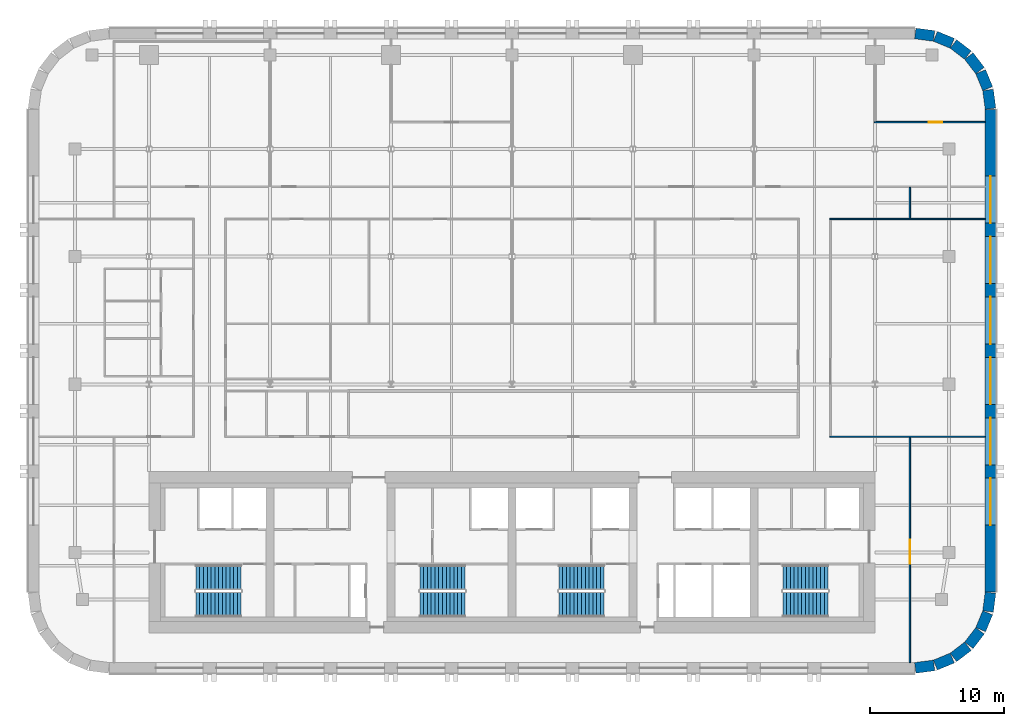
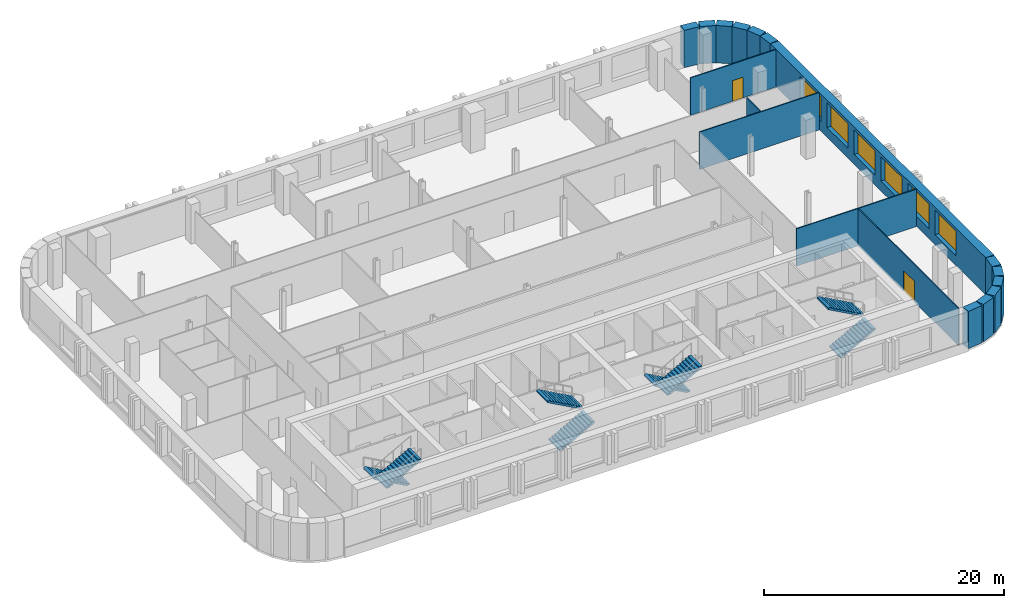
# One storey, part 7 of 9: 18 walls, 8 stair flights, 6 windows, 2 doors, 8 openings, 4 elements without a shape of their own.
"""IFC4 building model written with IfcOpenShell, lengths in metres."""

from ifc_helpers import new_model, si_unit, direction, frame, frame_2d, origin, place, context, subcontext, project, spatial, polyline, rectangle, outline, extrude, material, layer, layer_set, type_object, element, fill, aggregate, save


model = new_model("IFC4")

# Units and contexts
model_context = context("Model", 3, precision=1e-05, world=origin(), true_north=direction((0.0, 1.0)))
body_context = subcontext(model_context, "Body", "Model", "MODEL_VIEW")
ifc_project = project(units=[si_unit("LENGTHUNIT", "METRE"), si_unit("AREAUNIT", "SQUARE_METRE"), si_unit("VOLUMEUNIT", "CUBIC_METRE"), si_unit("PLANEANGLEUNIT", "RADIAN"), si_unit("MASSUNIT", "GRAM", prefix="KILO")], contexts=[model_context])

# Site, building, storey
site_placement = place(None, origin())
site = spatial("IfcSite", under=ifc_project, at=site_placement, CompositionType="ELEMENT")
building_placement = place(site_placement, origin())
building = spatial("IfcBuilding", under=site, at=building_placement, Name="Zellij Exchange Tower", CompositionType="ELEMENT")
storey_placement = place(building_placement, frame((0.0, 0.0, 184.5)))
storey = spatial("IfcBuildingStorey", under=building, at=storey_placement, Name="L42", CompositionType="ELEMENT", Elevation=184.5)

# Walls
ifc_material_1 = material(Name="Precast concrete C40/50", Category="concrete")
ifc_layer_1 = layer(ifc_material_1, 0.800048828125)
ifc_layer_set_1 = layer_set([ifc_layer_1], Name="Precast concrete C40/50")
wall_type_1 = type_object("IfcWallType", Name="ENV-EW1 Precast stone-piered wall 800", PredefinedType="SOLIDWALL", material=ifc_layer_set_1)
wall_1_placement = place(storey_placement, frame((29.999755859375, -16.5966796875, 0.0), z_axis=(0.0, 0.0, 1.0), x_axis=(0.99144603414, 0.130517283865, 0.0)))
element("IfcWall", 1, at=wall_1_placement, inside=storey, type_object=wall_type_1, Name="fac.L42.01", PredefinedType="SOLIDWALL", context=body_context, shape_type="SweptSolid", body=[
    extrude(rectangle(XDim=1.408447265625, YDim=0.800048828125, at=frame_2d((0.7041015625, 0.0))), origin(), (0.0, 0.0, 1.0), 3.800048828125),
])
wall_2_placement = place(storey_placement, frame((31.497314453125, -16.3857421875, 0.0), z_axis=(0.0, 0.0, 1.0), x_axis=(0.923847774587, 0.38276009378, 0.0)))
element("IfcWall", 2, at=wall_2_placement, inside=storey, type_object=wall_type_1, Name="fac.L42.02", PredefinedType="SOLIDWALL", context=body_context, shape_type="SweptSolid", body=[
    extrude(rectangle(XDim=1.35546875, YDim=0.800048828125, at=frame_2d((0.677734375, 0.0))), origin(), (0.0, 0.0, 1.0), 3.800048828125),
])
for number, where, z_axis, x_axis, name in (
    (3, (32.840087890625, -15.814697265625, 0.0), (0.0, 0.0, 1.0), (0.793272915452, 0.608866226366, 0.0), "fac.L42.03"),
    (4, (33.9892578125, -14.91552734375, 0.0), (0.0, 0.0, 1.0), (0.608866226366, 0.793272915452, 0.0), "fac.L42.04"),
):
    element("IfcWall", number, at=place(storey_placement, frame(where, z_axis=z_axis, x_axis=x_axis)), inside=storey, type_object=wall_type_1, Name=name, PredefinedType="SOLIDWALL", context=body_context, shape_type="SweptSolid", body=[
        extrude(rectangle(XDim=1.355712890625, YDim=0.800048828125, at=frame_2d((0.677734375, 0.0))), origin(), (0.0, 0.0, 1.0), 3.800048828125),
    ])
wall_3_placement = place(storey_placement, frame((34.866943359375, -13.74951171875, 0.0), z_axis=(0.0, 0.0, 1.0), x_axis=(0.38276009378, 0.923847774587, 0.0)))
element("IfcWall", 5, at=wall_3_placement, inside=storey, type_object=wall_type_1, Name="fac.L42.05", PredefinedType="SOLIDWALL", context=body_context, shape_type="SweptSolid", body=[
    extrude(rectangle(XDim=1.35546875, YDim=0.800048828125, at=frame_2d((0.677734375, 0.0))), origin(), (0.0, 0.0, 1.0), 3.800048828125),
])
wall_4_placement = place(storey_placement, frame((35.412841796875, -12.396240234375, 0.0), z_axis=(0.0, 0.0, 1.0), x_axis=(0.130517283865, 0.99144603414, 0.0)))
element("IfcWall", 6, at=wall_4_placement, inside=storey, type_object=wall_type_1, Name="fac.L42.06", PredefinedType="SOLIDWALL", context=body_context, shape_type="SweptSolid", body=[
    extrude(rectangle(XDim=1.408447265625, YDim=0.800048828125, at=frame_2d((0.7041015625, 0.0))), origin(), (0.0, 0.0, 1.0), 3.800048828125),
])

# Wall, openings, windows
wall_5_placement = place(storey_placement, frame((35.60009765625, -10.947509765625, 0.0), z_axis=(0.0, 0.0, 1.0), x_axis=(0.0, 1.0, 0.0)))
wall_5 = element("IfcWall", 7, at=wall_5_placement, inside=storey, type_object=wall_type_1, Name="fac.L42.07", PredefinedType="SOLIDWALL", context=body_context, shape_type="SweptSolid", body=[
    extrude(rectangle(XDim=35.89501953125, YDim=0.800048828125, at=frame_2d((17.947509765625, 0.0))), origin(), (0.0, 0.0, 1.0), 3.800048828125),
])
opening_1_placement = place(wall_5_placement, frame((4.9638671875, 0.0, 1.0)))
opening_1 = element("IfcOpeningElement", 8, at=opening_1_placement, cuts=wall_5, Name="Opening FZ3.13", PredefinedType="OPENING", context=body_context, shape_type="SweptSolid", body=[
    extrude(rectangle(XDim=3.5, YDim=2.5, at=frame_2d((1.75, 1.25))), frame((0.0, 0.412109375, 0.0), z_axis=(0.0, -1.0, 0.0), x_axis=(1.0, 0.0, 0.0)), (0.0, 0.0, 1.0), 0.823974609375),
])
opening_2_placement = place(wall_5_placement, frame((9.45751953125, 0.0, 1.0)))
opening_2 = element("IfcOpeningElement", 9, at=opening_2_placement, cuts=wall_5, Name="Opening FZ3.14", PredefinedType="OPENING", context=body_context, shape_type="SweptSolid", body=[
    extrude(rectangle(XDim=3.5, YDim=2.5, at=frame_2d((1.75, 1.25))), frame((0.0, 0.412109375, 0.0), z_axis=(0.0, -1.0, 0.0), x_axis=(1.0, 0.0, 0.0)), (0.0, 0.0, 1.0), 0.823974609375),
])
opening_3_placement = place(wall_5_placement, frame((13.950927734375, 0.0, 1.0)))
opening_3 = element("IfcOpeningElement", 10, at=opening_3_placement, cuts=wall_5, Name="Opening FZ3.15", PredefinedType="OPENING", context=body_context, shape_type="SweptSolid", body=[
    extrude(rectangle(XDim=3.5, YDim=2.5, at=frame_2d((1.75, 1.25))), frame((0.0, 0.412109375, 0.0), z_axis=(0.0, -1.0, 0.0), x_axis=(1.0, 0.0, 0.0)), (0.0, 0.0, 1.0), 0.823974609375),
])
opening_4_placement = place(wall_5_placement, frame((18.4443359375, 0.0, 1.0)))
opening_4 = element("IfcOpeningElement", 11, at=opening_4_placement, cuts=wall_5, Name="Opening FZ3.16", PredefinedType="OPENING", context=body_context, shape_type="SweptSolid", body=[
    extrude(rectangle(XDim=3.5, YDim=2.5, at=frame_2d((1.75, 1.25))), frame((0.0, 0.412109375, 0.0), z_axis=(0.0, -1.0, 0.0), x_axis=(1.0, 0.0, 0.0)), (0.0, 0.0, 1.0), 0.823974609375),
])
opening_5_placement = place(wall_5_placement, frame((22.937744140625, 0.0, 1.0)))
opening_5 = element("IfcOpeningElement", 12, at=opening_5_placement, cuts=wall_5, Name="Opening FZ3.17", PredefinedType="OPENING", context=body_context, shape_type="SweptSolid", body=[
    extrude(rectangle(XDim=3.5, YDim=2.5, at=frame_2d((1.75, 1.25))), frame((0.0, 0.412109375, 0.0), z_axis=(0.0, -1.0, 0.0), x_axis=(1.0, 0.0, 0.0)), (0.0, 0.0, 1.0), 0.823974609375),
])
opening_6_placement = place(wall_5_placement, frame((27.43115234375, 0.0, 1.0)))
opening_6 = element("IfcOpeningElement", 13, at=opening_6_placement, cuts=wall_5, Name="Opening FZ3.18", PredefinedType="OPENING", context=body_context, shape_type="SweptSolid", body=[
    extrude(rectangle(XDim=3.5, YDim=2.5, at=frame_2d((1.75, 1.25))), frame((0.0, 0.412109375, 0.0), z_axis=(0.0, -1.0, 0.0), x_axis=(1.0, 0.0, 0.0)), (0.0, 0.0, 1.0), 0.823974609375),
])
ifc_material_2 = material(Name="Aluminium frame with insulating glass", Category="aluminium")
window_type = type_object("IfcWindowType", Name="ENV-W1 Window 3500x2500", PartitioningType="SINGLE_PANEL", PredefinedType="WINDOW", material=ifc_material_2)
window_1_placement = place(opening_1_placement, origin())
window_1 = element("IfcWindow", 14, at=window_1_placement, inside=storey, type_object=window_type, Name="Window FZ3.13", OverallHeight=2.5, OverallWidth=3.5, PartitioningType="SINGLE_PANEL", PredefinedType="WINDOW", context=body_context, shape_type="SweptSolid", body=[
    extrude(rectangle(XDim=3.5, YDim=2.5, at=frame_2d((1.75, 1.25))), frame((0.0, 0.030029296875, 0.0), z_axis=(0.0, -1.0, 0.0), x_axis=(1.0, 0.0, 0.0)), (0.0, 0.0, 1.0), 0.06005859375),
])
fill(opening_1, window_1)
window_2_placement = place(opening_2_placement, origin())
window_2 = element("IfcWindow", 15, at=window_2_placement, inside=storey, type_object=window_type, Name="Window FZ3.14", OverallHeight=2.5, OverallWidth=3.5, PartitioningType="SINGLE_PANEL", PredefinedType="WINDOW", context=body_context, shape_type="SweptSolid", body=[
    extrude(rectangle(XDim=3.5, YDim=2.5, at=frame_2d((1.75, 1.25))), frame((0.0, 0.030029296875, 0.0), z_axis=(0.0, -1.0, 0.0), x_axis=(1.0, 0.0, 0.0)), (0.0, 0.0, 1.0), 0.06005859375),
])
fill(opening_2, window_2)
window_3_placement = place(opening_3_placement, origin())
window_3 = element("IfcWindow", 16, at=window_3_placement, inside=storey, type_object=window_type, Name="Window FZ3.15", OverallHeight=2.5, OverallWidth=3.5, PartitioningType="SINGLE_PANEL", PredefinedType="WINDOW", context=body_context, shape_type="SweptSolid", body=[
    extrude(rectangle(XDim=3.5, YDim=2.5, at=frame_2d((1.75, 1.25))), frame((0.0, 0.030029296875, 0.0), z_axis=(0.0, -1.0, 0.0), x_axis=(1.0, 0.0, 0.0)), (0.0, 0.0, 1.0), 0.06005859375),
])
fill(opening_3, window_3)
window_4_placement = place(opening_4_placement, origin())
window_4 = element("IfcWindow", 17, at=window_4_placement, inside=storey, type_object=window_type, Name="Window FZ3.16", OverallHeight=2.5, OverallWidth=3.5, PartitioningType="SINGLE_PANEL", PredefinedType="WINDOW", context=body_context, shape_type="SweptSolid", body=[
    extrude(rectangle(XDim=3.5, YDim=2.5, at=frame_2d((1.75, 1.25))), frame((0.0, 0.030029296875, 0.0), z_axis=(0.0, -1.0, 0.0), x_axis=(1.0, 0.0, 0.0)), (0.0, 0.0, 1.0), 0.06005859375),
])
fill(opening_4, window_4)
window_5_placement = place(opening_5_placement, origin())
window_5 = element("IfcWindow", 18, at=window_5_placement, inside=storey, type_object=window_type, Name="Window FZ3.17", OverallHeight=2.5, OverallWidth=3.5, PartitioningType="SINGLE_PANEL", PredefinedType="WINDOW", context=body_context, shape_type="SweptSolid", body=[
    extrude(rectangle(XDim=3.5, YDim=2.5, at=frame_2d((1.75, 1.25))), frame((0.0, 0.030029296875, 0.0), z_axis=(0.0, -1.0, 0.0), x_axis=(1.0, 0.0, 0.0)), (0.0, 0.0, 1.0), 0.06005859375),
])
fill(opening_5, window_5)
window_6_placement = place(opening_6_placement, origin())
window_6 = element("IfcWindow", 19, at=window_6_placement, inside=storey, type_object=window_type, Name="Window FZ3.18", OverallHeight=2.5, OverallWidth=3.5, PartitioningType="SINGLE_PANEL", PredefinedType="WINDOW", context=body_context, shape_type="SweptSolid", body=[
    extrude(rectangle(XDim=3.5, YDim=2.5, at=frame_2d((1.75, 1.25))), frame((0.0, 0.030029296875, 0.0), z_axis=(0.0, -1.0, 0.0), x_axis=(1.0, 0.0, 0.0)), (0.0, 0.0, 1.0), 0.06005859375),
])
fill(opening_6, window_6)

# Walls
wall_6_placement = place(storey_placement, frame((35.5966796875, 24.999755859375, 0.0), z_axis=(0.0, 0.0, 1.0), x_axis=(-0.130517283865, 0.99144603414, 0.0)))
element("IfcWall", 20, at=wall_6_placement, inside=storey, type_object=wall_type_1, Name="fac.L42.08", PredefinedType="SOLIDWALL", context=body_context, shape_type="SweptSolid", body=[
    extrude(rectangle(XDim=1.408447265625, YDim=0.800048828125, at=frame_2d((0.7041015625, 0.0))), origin(), (0.0, 0.0, 1.0), 3.800048828125),
])
wall_7_placement = place(storey_placement, frame((35.3857421875, 26.497314453125, 0.0), z_axis=(0.0, 0.0, 1.0), x_axis=(-0.38276009378, 0.923847774587, 0.0)))
element("IfcWall", 21, at=wall_7_placement, inside=storey, type_object=wall_type_1, Name="fac.L42.09", PredefinedType="SOLIDWALL", context=body_context, shape_type="SweptSolid", body=[
    extrude(rectangle(XDim=1.35546875, YDim=0.800048828125, at=frame_2d((0.677734375, 0.0))), origin(), (0.0, 0.0, 1.0), 3.800048828125),
])
for number, where, z_axis, x_axis, name in (
    (22, (34.814697265625, 27.840087890625, 0.0), (0.0, 0.0, 1.0), (-0.608866226366, 0.793272915452, 0.0), "fac.L42.10"),
    (23, (33.91552734375, 28.9892578125, 0.0), (0.0, 0.0, 1.0), (-0.793272915452, 0.608866226366, 0.0), "fac.L42.11"),
):
    element("IfcWall", number, at=place(storey_placement, frame(where, z_axis=z_axis, x_axis=x_axis)), inside=storey, type_object=wall_type_1, Name=name, PredefinedType="SOLIDWALL", context=body_context, shape_type="SweptSolid", body=[
        extrude(rectangle(XDim=1.355712890625, YDim=0.800048828125, at=frame_2d((0.677734375, 0.0))), origin(), (0.0, 0.0, 1.0), 3.800048828125),
    ])
wall_8_placement = place(storey_placement, frame((32.74951171875, 29.866943359375, 0.0), z_axis=(0.0, 0.0, 1.0), x_axis=(-0.923847774587, 0.38276009378, 0.0)))
element("IfcWall", 24, at=wall_8_placement, inside=storey, type_object=wall_type_1, Name="fac.L42.12", PredefinedType="SOLIDWALL", context=body_context, shape_type="SweptSolid", body=[
    extrude(rectangle(XDim=1.35546875, YDim=0.800048828125, at=frame_2d((0.677734375, 0.0))), origin(), (0.0, 0.0, 1.0), 3.800048828125),
])
wall_9_placement = place(storey_placement, frame((31.396240234375, 30.412841796875, 0.0), z_axis=(0.0, 0.0, 1.0), x_axis=(-0.99144603414, 0.130517283865, 0.0)))
element("IfcWall", 25, at=wall_9_placement, inside=storey, type_object=wall_type_1, Name="fac.L42.13", PredefinedType="SOLIDWALL", context=body_context, shape_type="SweptSolid", body=[
    extrude(rectangle(XDim=1.408447265625, YDim=0.800048828125, at=frame_2d((0.7041015625, 0.0))), origin(), (0.0, 0.0, 1.0), 3.800048828125),
])

# Wall, opening, door
ifc_material_3 = material(Name="Gypsum board partition on steel studs", Category="steel")
ifc_layer_2 = layer(ifc_material_3, 0.10009765625)
ifc_layer_set_2 = layer_set([ifc_layer_2], Name="Gypsum board partition on steel studs")
wall_type_2 = type_object("IfcWallType", Name="FIT-PARTITION-100", PredefinedType="PARTITIONING", material=ifc_layer_set_2)
wall_10_placement = place(storey_placement, frame((29.60009765625, -16.199951171875, 0.0), z_axis=(0.0, 0.0, 1.0), x_axis=(0.0, 1.0, 0.0)))
wall_10 = element("IfcWall", 26, at=wall_10_placement, inside=storey, type_object=wall_type_2, Name="FIT-PARTITION-100 002", PredefinedType="PARTITIONING", context=body_context, shape_type="SweptSolid", body=[
    extrude(rectangle(XDim=16.75, YDim=0.10009765625, at=frame_2d((8.375, 0.0))), origin(), (0.0, 0.0, 1.0), 3.800048828125),
])
opening_7_placement = place(wall_10_placement, frame((7.35009765625, 0.0, 0.0)))
opening_7 = element("IfcOpeningElement", 27, at=opening_7_placement, cuts=wall_10, Name="Opening O3B.02", PredefinedType="OPENING", context=body_context, shape_type="SweptSolid", body=[
    extrude(rectangle(XDim=1.800048828125, YDim=2.10009765625, at=frame_2d((0.89990234375, 1.050048828125))), frame((0.0, 0.06201171875, 0.0), z_axis=(0.0, -1.0, 0.0), x_axis=(1.0, 0.0, 0.0)), (0.0, 0.0, 1.0), 0.1240234375),
])
ifc_material_4 = material(Name="Timber door set", Category="wood")
door_type_1 = type_object("IfcDoorType", Name="FIT-D3-DOUBLE-1800X2100", OperationType="DOUBLE_DOOR_SINGLE_SWING", PredefinedType="DOOR", material=ifc_material_4)
door_1_placement = place(opening_7_placement, origin())
door_1 = element("IfcDoor", 28, at=door_1_placement, inside=storey, type_object=door_type_1, Name="Door O3B.02", OperationType="DOUBLE_DOOR_SINGLE_SWING", OverallHeight=2.10009765625, OverallWidth=1.800048828125, PredefinedType="DOOR", context=body_context, shape_type="SweptSolid", body=[
    extrude(rectangle(XDim=1.800048828125, YDim=2.10009765625, at=frame_2d((0.89990234375, 1.050048828125))), frame((0.0, 0.02490234375, 0.0), z_axis=(0.0, -1.0, 0.0), x_axis=(1.0, 0.0, 0.0)), (0.0, 0.0, 1.0), 0.050048828125),
])
fill(opening_7, door_1)

# Walls
for number, where, z_axis, x_axis, name in (
    (29, (23.64990234375, 0.60009765625, 0.0), (0.0, 0.0, 1.0), (1.0, 0.0, 0.0), "FIT-PARTITION-100 013"),
    (30, (23.64990234375, 16.800048828125, 0.0), (0.0, 0.0, 1.0), (1.0, 0.0, 0.0), "FIT-PARTITION-100 035"),
):
    element("IfcWall", number, at=place(storey_placement, frame(where, z_axis=z_axis, x_axis=x_axis)), inside=storey, type_object=wall_type_2, Name=name, PredefinedType="PARTITIONING", context=body_context, shape_type="SweptSolid", body=[
        extrude(rectangle(XDim=11.550048828125, YDim=0.10009765625, at=frame_2d((5.77490234375, 0.0))), origin(), (0.0, 0.0, 1.0), 3.800048828125),
    ])
wall_11_placement = place(storey_placement, frame((29.60009765625, 16.85009765625, 0.0), z_axis=(0.0, 0.0, 1.0), x_axis=(0.0, 1.0, 0.0)))
element("IfcWall", 31, at=wall_11_placement, inside=storey, type_object=wall_type_2, Name="FIT-PARTITION-100 036", PredefinedType="PARTITIONING", context=body_context, shape_type="SweptSolid", body=[
    extrude(rectangle(XDim=2.2998046875, YDim=0.10009765625, at=frame_2d((1.14990234375, 0.0))), origin(), (0.0, 0.0, 1.0), 3.800048828125),
])

# Wall, opening, door
wall_12_placement = place(storey_placement, frame((26.949951171875, 24.0, 0.0), z_axis=(0.0, 0.0, 1.0), x_axis=(1.0, 0.0, 0.0)))
wall_12 = element("IfcWall", 32, at=wall_12_placement, inside=storey, type_object=wall_type_2, Name="FIT-PARTITION-100 050", PredefinedType="PARTITIONING", context=body_context, shape_type="SweptSolid", body=[
    extrude(rectangle(XDim=8.25, YDim=0.10009765625, at=frame_2d((4.125, 0.0))), origin(), (0.0, 0.0, 1.0), 3.800048828125),
])
opening_8_placement = place(wall_12_placement, frame((4.050048828125, 0.0, 0.0)))
opening_8 = element("IfcOpeningElement", 33, at=opening_8_placement, cuts=wall_12, Name="Opening O3B.24", PredefinedType="OPENING", context=body_context, shape_type="SweptSolid", body=[
    extrude(rectangle(XDim=1.0, YDim=2.10009765625, at=frame_2d((0.5, 1.050048828125))), frame((0.0, 0.06201171875, 0.0), z_axis=(0.0, -1.0, 0.0), x_axis=(1.0, 0.0, 0.0)), (0.0, 0.0, 1.0), 0.1240234375),
])
door_type_2 = type_object("IfcDoorType", Name="FIT-D2-WIDE-1000X2100", OperationType="SINGLE_SWING_LEFT", PredefinedType="DOOR", material=ifc_material_4)
door_2_placement = place(opening_8_placement, origin())
door_2 = element("IfcDoor", 34, at=door_2_placement, inside=storey, type_object=door_type_2, Name="Door O3B.24", OperationType="SINGLE_SWING_LEFT", OverallHeight=2.10009765625, OverallWidth=1.0, PredefinedType="DOOR", context=body_context, shape_type="SweptSolid", body=[
    extrude(rectangle(XDim=1.0, YDim=2.10009765625, at=frame_2d((0.5, 1.050048828125))), frame((0.0, 0.02490234375, 0.0), z_axis=(0.0, -1.0, 0.0), x_axis=(1.0, 0.0, 0.0)), (0.0, 0.0, 1.0), 0.050048828125),
])
fill(opening_8, door_2)

# Stair, stair flights
ifc_material_5 = material(Name="Concrete C40/50", Category="concrete")
stair_type = type_object("IfcStairType", Name="CORE-ST exit stair 1850 wide", PredefinedType="HALF_TURN_STAIR", material=ifc_material_5)
stair_1_placement = place(storey_placement, origin())
stair_1 = element("IfcStair", 35, at=stair_1_placement, inside=storey, type_object=stair_type, Name="L42 exit stair ST1", PredefinedType="HALF_TURN_STAIR")
stair_flight_type = type_object("IfcStairFlightType", Name="CORE-SF flight 1850 riser 153.8 going 280", PredefinedType="STRAIGHT", material=ifc_material_5)
stair_flight_1_placement = place(storey_placement, frame((-20.14990234375, -9.875, 0.0), z_axis=(0.0, 0.0, 1.0), x_axis=(-1.0, 0.0, 0.0)))
stair_flight_1 = element("IfcStairFlight", 36, at=stair_flight_1_placement, type_object=stair_flight_type, Name="ST1 flight 1", NumberOfRisers=13, NumberOfTreads=12, PredefinedType="STRAIGHT", RiserHeight=0.153846154, TreadLength=0.28, context=body_context, shape_type="SweptSolid", body=[
    extrude(outline(polyline([(0.0, 0.0), (0.0, 0.15380859375), (0.280029296875, 0.15380859375), (0.280029296875, 0.3076171875), (0.56005859375, 0.3076171875), (0.56005859375, 0.46142578125), (0.840087890625, 0.46142578125), (0.840087890625, 0.615478515625), (1.1201171875, 0.615478515625), (1.1201171875, 0.769287109375), (1.39990234375, 0.769287109375), (1.39990234375, 0.923095703125), (1.679931640625, 0.923095703125), (1.679931640625, 1.076904296875), (1.9599609375, 1.076904296875), (1.9599609375, 1.230712890625), (2.239990234375, 1.230712890625), (2.239990234375, 1.384521484375), (2.52001953125, 1.384521484375), (2.52001953125, 1.53857421875), (2.800048828125, 1.53857421875), (2.800048828125, 1.6923828125), (3.080078125, 1.6923828125), (3.080078125, 1.84619140625), (3.360107421875, 1.84619140625), (3.360107421875, 2.0), (3.360107421875, 1.675048828125), (0.311279296875, 0.0), (0.0, 0.0)])), frame((0.0, 0.925048828125, 0.0), z_axis=(0.0, -1.0, 0.0), x_axis=(1.0, 0.0, 0.0)), (0.0, 0.0, 1.0), 1.85009765625),
])
stair_flight_2_placement = place(storey_placement, frame((-23.510009765625, -11.875, 2.0), z_axis=(0.0, 0.0, 1.0), x_axis=(1.0, 0.0, 0.0)))
stair_flight_2 = element("IfcStairFlight", 37, at=stair_flight_2_placement, type_object=stair_flight_type, Name="ST1 flight 2", NumberOfRisers=13, NumberOfTreads=12, PredefinedType="STRAIGHT", RiserHeight=0.153846154, TreadLength=0.28, context=body_context, shape_type="SweptSolid", body=[
    extrude(outline(polyline([(0.0, 0.0), (0.0, 0.15380859375), (0.280029296875, 0.15380859375), (0.280029296875, 0.3076171875), (0.56005859375, 0.3076171875), (0.56005859375, 0.46142578125), (0.840087890625, 0.46142578125), (0.840087890625, 0.615478515625), (1.1201171875, 0.615478515625), (1.1201171875, 0.769287109375), (1.39990234375, 0.769287109375), (1.39990234375, 0.923095703125), (1.679931640625, 0.923095703125), (1.679931640625, 1.076904296875), (1.9599609375, 1.076904296875), (1.9599609375, 1.230712890625), (2.239990234375, 1.230712890625), (2.239990234375, 1.384521484375), (2.52001953125, 1.384521484375), (2.52001953125, 1.53857421875), (2.800048828125, 1.53857421875), (2.800048828125, 1.6923828125), (3.080078125, 1.6923828125), (3.080078125, 1.84619140625), (3.360107421875, 1.84619140625), (3.360107421875, 2.0), (3.360107421875, 1.675048828125), (0.311279296875, 0.0), (0.0, 0.0)])), frame((0.0, 0.925048828125, 0.0), z_axis=(0.0, -1.0, 0.0), x_axis=(1.0, 0.0, 0.0)), (0.0, 0.0, 1.0), 1.85009765625),
])
aggregate(stair_1, [stair_flight_1, stair_flight_2])

stair_2_placement = place(storey_placement, origin())
stair_2 = element("IfcStair", 38, at=stair_2_placement, inside=storey, type_object=stair_type, Name="L42 exit stair ST2", PredefinedType="HALF_TURN_STAIR")
stair_flight_3_placement = place(storey_placement, frame((-6.85009765625, -11.875, 0.0), z_axis=(0.0, 0.0, 1.0), x_axis=(1.0, 0.0, 0.0)))
stair_flight_3 = element("IfcStairFlight", 39, at=stair_flight_3_placement, type_object=stair_flight_type, Name="ST2 flight 1", NumberOfRisers=13, NumberOfTreads=12, PredefinedType="STRAIGHT", RiserHeight=0.153846154, TreadLength=0.28, context=body_context, shape_type="SweptSolid", body=[
    extrude(outline(polyline([(0.0, 0.0), (0.0, 0.15380859375), (0.280029296875, 0.15380859375), (0.280029296875, 0.3076171875), (0.56005859375, 0.3076171875), (0.56005859375, 0.46142578125), (0.840087890625, 0.46142578125), (0.840087890625, 0.615478515625), (1.1201171875, 0.615478515625), (1.1201171875, 0.769287109375), (1.39990234375, 0.769287109375), (1.39990234375, 0.923095703125), (1.679931640625, 0.923095703125), (1.679931640625, 1.076904296875), (1.9599609375, 1.076904296875), (1.9599609375, 1.230712890625), (2.239990234375, 1.230712890625), (2.239990234375, 1.384521484375), (2.52001953125, 1.384521484375), (2.52001953125, 1.53857421875), (2.800048828125, 1.53857421875), (2.800048828125, 1.6923828125), (3.080078125, 1.6923828125), (3.080078125, 1.84619140625), (3.360107421875, 1.84619140625), (3.360107421875, 2.0), (3.360107421875, 1.675048828125), (0.311279296875, 0.0), (0.0, 0.0)])), frame((0.0, 0.925048828125, 0.0), z_axis=(0.0, -1.0, 0.0), x_axis=(1.0, 0.0, 0.0)), (0.0, 0.0, 1.0), 1.85009765625),
])
stair_flight_4_placement = place(storey_placement, frame((-3.489990234375, -9.875, 2.0), z_axis=(0.0, 0.0, 1.0), x_axis=(-1.0, 0.0, 0.0)))
stair_flight_4 = element("IfcStairFlight", 40, at=stair_flight_4_placement, type_object=stair_flight_type, Name="ST2 flight 2", NumberOfRisers=13, NumberOfTreads=12, PredefinedType="STRAIGHT", RiserHeight=0.153846154, TreadLength=0.28, context=body_context, shape_type="SweptSolid", body=[
    extrude(outline(polyline([(0.0, 0.0), (0.0, 0.15380859375), (0.280029296875, 0.15380859375), (0.280029296875, 0.3076171875), (0.56005859375, 0.3076171875), (0.56005859375, 0.46142578125), (0.840087890625, 0.46142578125), (0.840087890625, 0.615478515625), (1.1201171875, 0.615478515625), (1.1201171875, 0.769287109375), (1.39990234375, 0.769287109375), (1.39990234375, 0.923095703125), (1.679931640625, 0.923095703125), (1.679931640625, 1.076904296875), (1.9599609375, 1.076904296875), (1.9599609375, 1.230712890625), (2.239990234375, 1.230712890625), (2.239990234375, 1.384521484375), (2.52001953125, 1.384521484375), (2.52001953125, 1.53857421875), (2.800048828125, 1.53857421875), (2.800048828125, 1.6923828125), (3.080078125, 1.6923828125), (3.080078125, 1.84619140625), (3.360107421875, 1.84619140625), (3.360107421875, 2.0), (3.360107421875, 1.675048828125), (0.311279296875, 0.0), (0.0, 0.0)])), frame((0.0, 0.925048828125, 0.0), z_axis=(0.0, -1.0, 0.0), x_axis=(1.0, 0.0, 0.0)), (0.0, 0.0, 1.0), 1.85009765625),
])
aggregate(stair_2, [stair_flight_3, stair_flight_4])

stair_3_placement = place(storey_placement, origin())
stair_3 = element("IfcStair", 41, at=stair_3_placement, inside=storey, type_object=stair_type, Name="L42 exit stair ST3", PredefinedType="HALF_TURN_STAIR")
stair_flight_5_placement = place(storey_placement, frame((6.85009765625, -9.875, 0.0), z_axis=(0.0, 0.0, 1.0), x_axis=(-1.0, 0.0, 0.0)))
stair_flight_5 = element("IfcStairFlight", 42, at=stair_flight_5_placement, type_object=stair_flight_type, Name="ST3 flight 1", NumberOfRisers=13, NumberOfTreads=12, PredefinedType="STRAIGHT", RiserHeight=0.153846154, TreadLength=0.28, context=body_context, shape_type="SweptSolid", body=[
    extrude(outline(polyline([(0.0, 0.0), (0.0, 0.15380859375), (0.280029296875, 0.15380859375), (0.280029296875, 0.3076171875), (0.56005859375, 0.3076171875), (0.56005859375, 0.46142578125), (0.840087890625, 0.46142578125), (0.840087890625, 0.615478515625), (1.1201171875, 0.615478515625), (1.1201171875, 0.769287109375), (1.39990234375, 0.769287109375), (1.39990234375, 0.923095703125), (1.679931640625, 0.923095703125), (1.679931640625, 1.076904296875), (1.9599609375, 1.076904296875), (1.9599609375, 1.230712890625), (2.239990234375, 1.230712890625), (2.239990234375, 1.384521484375), (2.52001953125, 1.384521484375), (2.52001953125, 1.53857421875), (2.800048828125, 1.53857421875), (2.800048828125, 1.6923828125), (3.080078125, 1.6923828125), (3.080078125, 1.84619140625), (3.360107421875, 1.84619140625), (3.360107421875, 2.0), (3.360107421875, 1.675048828125), (0.311279296875, 0.0), (0.0, 0.0)])), frame((0.0, 0.925048828125, 0.0), z_axis=(0.0, -1.0, 0.0), x_axis=(1.0, 0.0, 0.0)), (0.0, 0.0, 1.0), 1.85009765625),
])
stair_flight_6_placement = place(storey_placement, frame((3.489990234375, -11.875, 2.0), z_axis=(0.0, 0.0, 1.0), x_axis=(1.0, 0.0, 0.0)))
stair_flight_6 = element("IfcStairFlight", 43, at=stair_flight_6_placement, type_object=stair_flight_type, Name="ST3 flight 2", NumberOfRisers=13, NumberOfTreads=12, PredefinedType="STRAIGHT", RiserHeight=0.153846154, TreadLength=0.28, context=body_context, shape_type="SweptSolid", body=[
    extrude(outline(polyline([(0.0, 0.0), (0.0, 0.15380859375), (0.280029296875, 0.15380859375), (0.280029296875, 0.3076171875), (0.56005859375, 0.3076171875), (0.56005859375, 0.46142578125), (0.840087890625, 0.46142578125), (0.840087890625, 0.615478515625), (1.1201171875, 0.615478515625), (1.1201171875, 0.769287109375), (1.39990234375, 0.769287109375), (1.39990234375, 0.923095703125), (1.679931640625, 0.923095703125), (1.679931640625, 1.076904296875), (1.9599609375, 1.076904296875), (1.9599609375, 1.230712890625), (2.239990234375, 1.230712890625), (2.239990234375, 1.384521484375), (2.52001953125, 1.384521484375), (2.52001953125, 1.53857421875), (2.800048828125, 1.53857421875), (2.800048828125, 1.6923828125), (3.080078125, 1.6923828125), (3.080078125, 1.84619140625), (3.360107421875, 1.84619140625), (3.360107421875, 2.0), (3.360107421875, 1.675048828125), (0.311279296875, 0.0), (0.0, 0.0)])), frame((0.0, 0.925048828125, 0.0), z_axis=(0.0, -1.0, 0.0), x_axis=(1.0, 0.0, 0.0)), (0.0, 0.0, 1.0), 1.85009765625),
])
aggregate(stair_3, [stair_flight_5, stair_flight_6])

stair_4_placement = place(storey_placement, origin())
stair_4 = element("IfcStair", 44, at=stair_4_placement, inside=storey, type_object=stair_type, Name="L42 exit stair ST4", PredefinedType="HALF_TURN_STAIR")
stair_flight_7_placement = place(storey_placement, frame((20.14990234375, -11.875, 0.0), z_axis=(0.0, 0.0, 1.0), x_axis=(1.0, 0.0, 0.0)))
stair_flight_7 = element("IfcStairFlight", 45, at=stair_flight_7_placement, type_object=stair_flight_type, Name="ST4 flight 1", NumberOfRisers=13, NumberOfTreads=12, PredefinedType="STRAIGHT", RiserHeight=0.153846154, TreadLength=0.28, context=body_context, shape_type="SweptSolid", body=[
    extrude(outline(polyline([(0.0, 0.0), (0.0, 0.15380859375), (0.280029296875, 0.15380859375), (0.280029296875, 0.3076171875), (0.56005859375, 0.3076171875), (0.56005859375, 0.46142578125), (0.840087890625, 0.46142578125), (0.840087890625, 0.615478515625), (1.1201171875, 0.615478515625), (1.1201171875, 0.769287109375), (1.39990234375, 0.769287109375), (1.39990234375, 0.923095703125), (1.679931640625, 0.923095703125), (1.679931640625, 1.076904296875), (1.9599609375, 1.076904296875), (1.9599609375, 1.230712890625), (2.239990234375, 1.230712890625), (2.239990234375, 1.384521484375), (2.52001953125, 1.384521484375), (2.52001953125, 1.53857421875), (2.800048828125, 1.53857421875), (2.800048828125, 1.6923828125), (3.080078125, 1.6923828125), (3.080078125, 1.84619140625), (3.360107421875, 1.84619140625), (3.360107421875, 2.0), (3.360107421875, 1.675048828125), (0.311279296875, 0.0), (0.0, 0.0)])), frame((0.0, 0.925048828125, 0.0), z_axis=(0.0, -1.0, 0.0), x_axis=(1.0, 0.0, 0.0)), (0.0, 0.0, 1.0), 1.85009765625),
])
stair_flight_8_placement = place(storey_placement, frame((23.510009765625, -9.875, 2.0), z_axis=(0.0, 0.0, 1.0), x_axis=(-1.0, 0.0, 0.0)))
stair_flight_8 = element("IfcStairFlight", 46, at=stair_flight_8_placement, type_object=stair_flight_type, Name="ST4 flight 2", NumberOfRisers=13, NumberOfTreads=12, PredefinedType="STRAIGHT", RiserHeight=0.153846154, TreadLength=0.28, context=body_context, shape_type="SweptSolid", body=[
    extrude(outline(polyline([(0.0, 0.0), (0.0, 0.15380859375), (0.280029296875, 0.15380859375), (0.280029296875, 0.3076171875), (0.56005859375, 0.3076171875), (0.56005859375, 0.46142578125), (0.840087890625, 0.46142578125), (0.840087890625, 0.615478515625), (1.1201171875, 0.615478515625), (1.1201171875, 0.769287109375), (1.39990234375, 0.769287109375), (1.39990234375, 0.923095703125), (1.679931640625, 0.923095703125), (1.679931640625, 1.076904296875), (1.9599609375, 1.076904296875), (1.9599609375, 1.230712890625), (2.239990234375, 1.230712890625), (2.239990234375, 1.384521484375), (2.52001953125, 1.384521484375), (2.52001953125, 1.53857421875), (2.800048828125, 1.53857421875), (2.800048828125, 1.6923828125), (3.080078125, 1.6923828125), (3.080078125, 1.84619140625), (3.360107421875, 1.84619140625), (3.360107421875, 2.0), (3.360107421875, 1.675048828125), (0.311279296875, 0.0), (0.0, 0.0)])), frame((0.0, 0.925048828125, 0.0), z_axis=(0.0, -1.0, 0.0), x_axis=(1.0, 0.0, 0.0)), (0.0, 0.0, 1.0), 1.85009765625),
])
aggregate(stair_4, [stair_flight_7, stair_flight_8])

save(model, "model.ifc")
